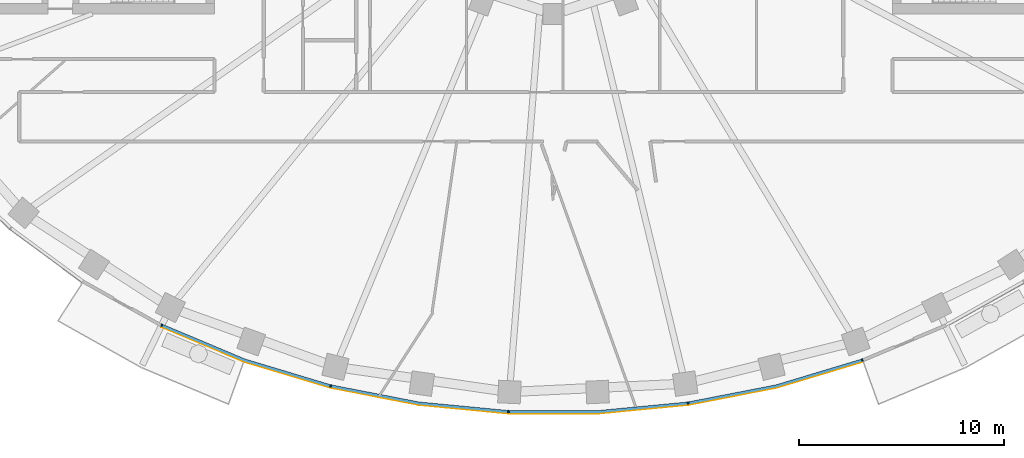
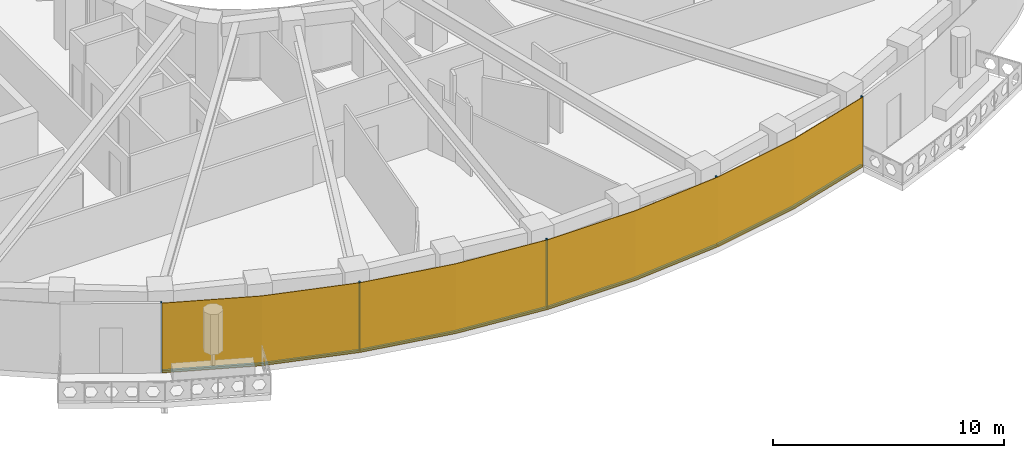
# One storey, part 9 of 15: 9 members, 1 curtain wall.
"""IFC4 building model written with IfcOpenShell, lengths in metres."""

from ifc_helpers import new_model, si_unit, direction, frame, origin, origin_2d, place, context, subcontext, project, spatial, polyline, rectangle, outline, extrude, material, layer, layer_set, material_profile, profile_set, type_object, element, aggregate, save


model = new_model("IFC4")

# Units and contexts
model_context = context("Model", 3, precision=1e-05, world=origin(), true_north=direction((0.0, 1.0)))
body_context = subcontext(model_context, "Body", "Model", "MODEL_VIEW")
ifc_project = project(units=[si_unit("LENGTHUNIT", "METRE"), si_unit("AREAUNIT", "SQUARE_METRE"), si_unit("VOLUMEUNIT", "CUBIC_METRE"), si_unit("PLANEANGLEUNIT", "RADIAN"), si_unit("MASSUNIT", "GRAM", prefix="KILO")], contexts=[model_context])

# Member
ifc_material_1 = material(Name="Aluminium 6063-T6 black anodised", Category="aluminium")
ifc_material_profile = material_profile(ifc_material_1, rectangle(XDim=0.1201171875, YDim=0.06005859375, at=origin_2d()), Name="120x60")
ifc_profile_set = profile_set([ifc_material_profile], Name="Aluminium 6063-T6 black anodised")
member_type_1 = type_object("IfcMemberType", Name="ENV-MULLION-A-120", PredefinedType="MULLION", material=ifc_profile_set)
site_placement = place(None, origin())
building_placement = place(site_placement, origin())
storey_placement = place(building_placement, frame((0.0, 0.0, 253.5)))
member_1_placement = place(storey_placement, frame((-19.06787109375, -23.6474609375, 0.0), z_axis=(0.0, 0.0, 1.0), x_axis=(0.439237769837, 0.898370848563, 0.0)))
member_1 = element("IfcMember", 1, at=member_1_placement, type_object=member_type_1, Name="Mullion A radial 31", PredefinedType="MULLION", context=body_context, shape_type="SweptSolid", body=[
    extrude(rectangle(XDim=0.1201171875, YDim=0.06005859375, at=origin_2d()), origin(), (0.0, 0.0, 1.0), 3.699951171875),
])

member_2_placement = place(storey_placement, frame((-10.84326171875, -26.60498046875, 0.0), z_axis=(0.0, 0.0, 1.0), x_axis=(0.239799081534, 0.970822538106, 0.0)))
member_2 = element("IfcMember", 2, at=member_2_placement, type_object=member_type_1, Name="Mullion A radial 33", PredefinedType="MULLION", context=body_context, shape_type="SweptSolid", body=[
    extrude(rectangle(XDim=0.1201171875, YDim=0.06005859375, at=origin_2d()), origin(), (0.0, 0.0, 1.0), 3.699951171875),
])

member_3_placement = place(storey_placement, frame((-2.188720703125, -27.856201171875, 0.0), z_axis=(0.0, 0.0, 1.0), x_axis=(0.047557873581, 0.998868484166, 0.0)))
member_3 = element("IfcMember", 3, at=member_3_placement, type_object=member_type_1, Name="Mullion A radial 35", PredefinedType="MULLION", context=body_context, shape_type="SweptSolid", body=[
    extrude(rectangle(XDim=0.1201171875, YDim=0.06005859375, at=origin_2d()), origin(), (0.0, 0.0, 1.0), 3.699951171875),
])

member_4_placement = place(storey_placement, frame((6.54638671875, -27.440185546875, 0.0), z_axis=(0.0, 0.0, 1.0), x_axis=(-0.143082012705, 0.989710835366, 0.0)))
member_4 = element("IfcMember", 4, at=member_4_placement, type_object=member_type_1, Name="Mullion A radial 37", PredefinedType="MULLION", context=body_context, shape_type="SweptSolid", body=[
    extrude(rectangle(XDim=0.1201171875, YDim=0.06005859375, at=origin_2d()), origin(), (0.0, 0.0, 1.0), 3.699951171875),
])

member_5_placement = place(storey_placement, frame((15.0341796875, -25.34375, 0.0), z_axis=(0.0, 0.0, 1.0), x_axis=(-0.338379256581, 0.941009818608, 0.0)))
member_5 = element("IfcMember", 5, at=member_5_placement, type_object=member_type_1, Name="Mullion A radial 39", PredefinedType="MULLION", context=body_context, shape_type="SweptSolid", body=[
    extrude(rectangle(XDim=0.1201171875, YDim=0.06005859375, at=origin_2d()), origin(), (0.0, 0.0, 1.0), 3.699951171875),
])

ifc_material_2 = material(Name="Aluminium 6063-T6 black anodised", Category="aluminium")
member_type_2 = type_object("IfcMemberType", Name="ENV-TRANSOM-A", PredefinedType="USERDEFINED", material=ifc_material_2)
member_6_placement = place(storey_placement, origin())
member_6 = element("IfcMember", 6, at=member_6_placement, type_object=member_type_2, Name="Transom A radial 31-33", ObjectType="TRANSOM", PredefinedType="USERDEFINED", context=body_context, shape_type="SweptSolid", body=[
    extrude(outline(polyline([(-19.068359375, -23.71240234375), (-15.054443359375, -25.400146484375), (-10.884521484375, -26.655029296875), (-10.855712890625, -26.53857421875), (-15.013916015625, -25.287109375), (-19.015380859375, -23.604248046875), (-19.068359375, -23.71240234375)])), origin(), (0.0, 0.0, 1.0), 0.10009765625),
])

member_7_placement = place(storey_placement, origin())
member_7 = element("IfcMember", 7, at=member_7_placement, type_object=member_type_2, Name="Transom A radial 33-35", ObjectType="TRANSOM", PredefinedType="USERDEFINED", context=body_context, shape_type="SweptSolid", body=[
    extrude(outline(polyline([(-10.830078125, -26.66845703125), (-6.55517578125, -27.49951171875), (-2.219482421875, -27.913330078125), (-2.2138671875, -27.793212890625), (-6.537841796875, -27.380615234375), (-10.80126953125, -26.552001953125), (-10.830078125, -26.66845703125)])), origin(), (0.0, 0.0, 1.0), 0.10009765625),
])

member_8_placement = place(storey_placement, origin())
member_8 = element("IfcMember", 8, at=member_8_placement, type_object=member_type_2, Name="Transom A radial 35-37", ObjectType="TRANSOM", PredefinedType="USERDEFINED", context=body_context, shape_type="SweptSolid", body=[
    extrude(outline(polyline([(-2.163818359375, -27.916015625), (2.191650390625, -27.916015625), (6.527099609375, -27.502197265625), (6.510009765625, -27.38330078125), (2.185791015625, -27.7958984375), (-2.157958984375, -27.7958984375), (-2.163818359375, -27.916015625)])), origin(), (0.0, 0.0, 1.0), 0.10009765625),
])

member_9_placement = place(storey_placement, origin())
member_9 = element("IfcMember", 9, at=member_9_placement, type_object=member_type_2, Name="Transom A radial 37-39", ObjectType="TRANSOM", PredefinedType="USERDEFINED", context=body_context, shape_type="SweptSolid", body=[
    extrude(outline(polyline([(6.58251953125, -27.494140625), (10.857666015625, -26.6630859375), (15.027587890625, -25.408203125), (14.987060546875, -25.295166015625), (10.828857421875, -26.54638671875), (6.5654296875, -27.375244140625), (6.58251953125, -27.494140625)])), origin(), (0.0, 0.0, 1.0), 0.10009765625),
])

# Site, building, storey
site = spatial("IfcSite", under=ifc_project, at=site_placement, CompositionType="ELEMENT")
building = spatial("IfcBuilding", under=site, at=building_placement, Name="Noorbagh Ring Tower", CompositionType="ELEMENT")
storey = spatial("IfcBuildingStorey", under=building, at=storey_placement, Name="L53", CompositionType="ELEMENT", Elevation=253.5)

# Curtain wall
ifc_material_3 = material(Name="Glass dark tinted laminated", Category="glass")
ifc_layer = layer(ifc_material_3, 0.031982421875)
ifc_layer_set = layer_set([ifc_layer], Name="Glass dark tinted laminated")
curtain_wall_type = type_object("IfcCurtainWallType", Name="ENV-CW-A", PredefinedType="NOTDEFINED", material=ifc_layer_set)
curtain_wall_placement = place(storey_placement, origin())
curtain_wall = element("IfcCurtainWall", 10, at=curtain_wall_placement, inside=storey, type_object=curtain_wall_type, Name="Curtain wall A R31", PredefinedType="NOTDEFINED", context=body_context, shape_type="SweptSolid", body=[
    extrude(outline(polyline([(-19.08984375, -23.738037109375), (-15.065185546875, -25.430419921875), (-10.865234375, -26.6943359375), (-6.559814453125, -27.53125), (-2.193115234375, -27.947998046875), (2.193115234375, -27.947998046875), (6.559814453125, -27.53125), (10.865234375, -26.6943359375), (15.046142578125, -25.43603515625), (15.035400390625, -25.406005859375), (10.857666015625, -26.6630859375), (6.55517578125, -27.49951171875), (2.191650390625, -27.916015625), (-2.191650390625, -27.916015625), (-6.55517578125, -27.49951171875), (-10.857666015625, -26.6630859375), (-15.054443359375, -25.400146484375), (-19.07568359375, -23.709228515625), (-19.08984375, -23.738037109375)])), origin(), (0.0, 0.0, 1.0), 3.699951171875),
])

aggregate(curtain_wall, [member_1, member_2, member_3, member_4, member_5, member_6, member_7, member_8, member_9])

save(model, "model.ifc")
